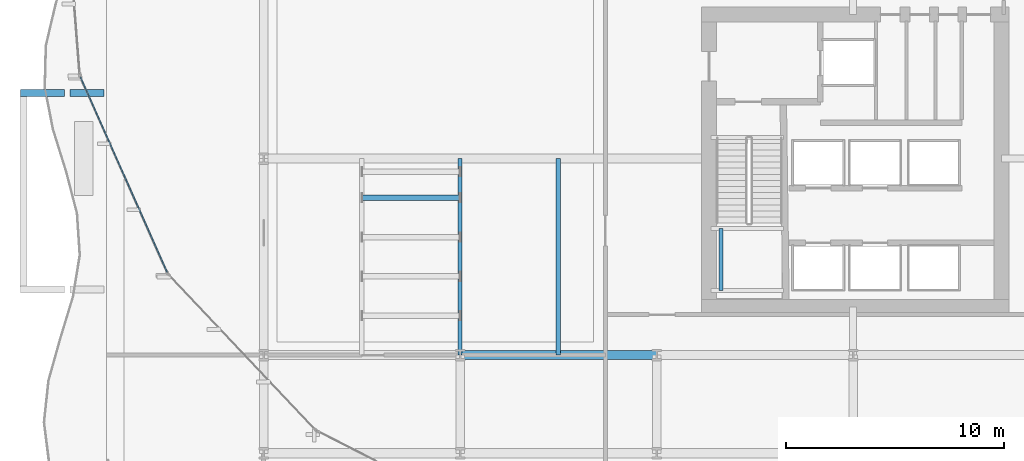
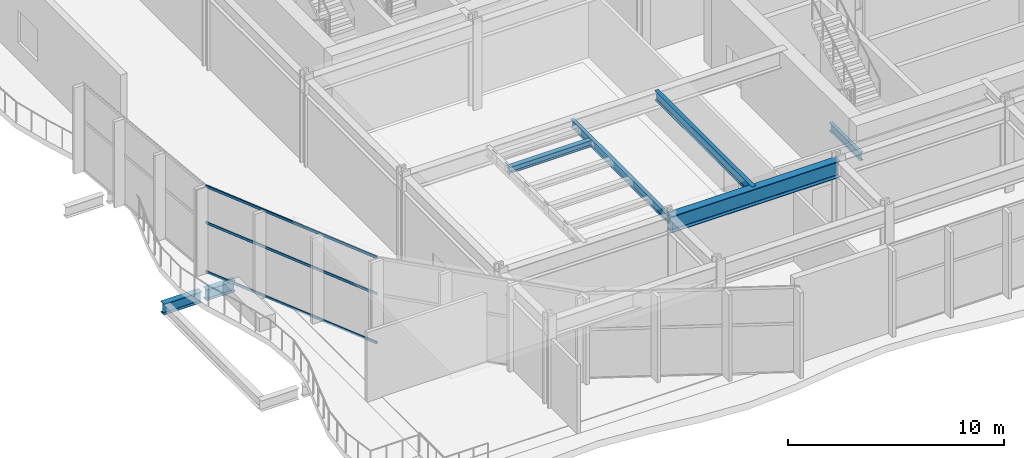
# One storey, part 5 of 33: 6 beams, 4 members, 1 element without a shape of its own.
"""IFC4 building model written with IfcOpenShell, lengths in metres."""

from ifc_helpers import new_model, si_unit, direction, frame, origin, origin_2d, place, context, subcontext, project, spatial, hollow_rectangle, i_section, extrude, material, layer, layer_set, material_profile, profile_set, type_object, element, aggregate, save


model = new_model("IFC4")

# Units and contexts
model_context = context("Model", 3, precision=1e-05, world=origin(), true_north=direction((0.0, 1.0)))
body_context = subcontext(model_context, "Body", "Model", "MODEL_VIEW")
ifc_project = project(units=[si_unit("LENGTHUNIT", "METRE"), si_unit("AREAUNIT", "SQUARE_METRE"), si_unit("VOLUMEUNIT", "CUBIC_METRE"), si_unit("PLANEANGLEUNIT", "RADIAN"), si_unit("MASSUNIT", "GRAM", prefix="KILO")], contexts=[model_context])

# Site, building, storey
site_placement = place(None, origin())
site = spatial("IfcSite", under=ifc_project, at=site_placement, CompositionType="ELEMENT")
building_placement = place(site_placement, origin())
building = spatial("IfcBuilding", under=site, at=building_placement, Name="Solvaryn Broadcast Tower", CompositionType="ELEMENT")
storey_placement = place(building_placement, frame((0.0, 0.0, 5.800048828125)))
storey = spatial("IfcBuildingStorey", under=building, at=storey_placement, Name="L01", CompositionType="ELEMENT", Elevation=5.800048828125)

# Beams
ifc_material_1 = material(Name="Steel ASTM A992 Grade 50", Category="steel")
ifc_material_profile_1 = material_profile(ifc_material_1, i_section(OverallWidth=0.323974609375, OverallDepth=0.611083984375, WebThickness=0.0126953125, FlangeThickness=0.01904296875, FilletRadius=0.014892578125, at=origin_2d()))
ifc_profile_set_1 = profile_set([ifc_material_profile_1], Name="Steel ASTM A992 Grade 50")
beam_type_1 = type_object("IfcBeamType", Name="BM-B1-W24X104", PredefinedType="BEAM", material=ifc_profile_set_1)
beam_1_placement = place(storey_placement, frame((1.675048828125, 21.0, -0.62548828125), z_axis=(-1.0, 0.0, 0.0), x_axis=(0.0, -1.0, 0.0)))
element("IfcBeam", 1, at=beam_1_placement, inside=storey, type_object=beam_type_1, Name="L01 West Terrace Back-Span Beam Y21", PredefinedType="BEAM", context=body_context, shape_type="SweptSolid", body=[
    extrude(i_section(OverallWidth=0.323974609375, OverallDepth=0.611083984375, WebThickness=0.0126953125, FlangeThickness=0.01904296875, FilletRadius=0.014892578125, at=origin_2d()), origin(), (0.0, 0.0, 1.0), 1.550048828125),
])
ifc_material_2 = material(Name="Steel ASTM A992 Grade 50", Category="steel")
ifc_material_profile_2 = material_profile(ifc_material_2, i_section(OverallWidth=0.208984375, OverallDepth=0.532958984375, WebThickness=0.01025390625, FlangeThickness=0.015625, FilletRadius=0.013916015625, at=origin_2d()))
ifc_profile_set_2 = profile_set([ifc_material_profile_2], Name="Steel ASTM A992 Grade 50")
beam_type_2 = type_object("IfcBeamType", Name="BM-B3-W21X62", PredefinedType="BEAM", material=ifc_profile_set_2)
beam_2_placement = place(storey_placement, frame((22.5, 9.0, 4.613525390625), z_axis=(0.0, 1.0, 0.0), x_axis=(-1.0, 0.0, 0.0)))
element("IfcBeam", 2, at=beam_2_placement, inside=storey, type_object=beam_type_2, Name="L01 Studio Rigging Beam 3", PredefinedType="BEAM", context=body_context, shape_type="SweptSolid", body=[
    extrude(i_section(OverallWidth=0.208984375, OverallDepth=0.532958984375, WebThickness=0.01025390625, FlangeThickness=0.015625, FilletRadius=0.013916015625, at=origin_2d()), origin(), (0.0, 0.0, 1.0), 9.0),
])
ifc_material_3 = material(Name="Steel ASTM A992 Grade 50", Category="steel")
ifc_material_profile_3 = material_profile(ifc_material_3, i_section(OverallWidth=0.18994140625, OverallDepth=0.45703125, WebThickness=0.009033203125, FlangeThickness=0.014404296875, FilletRadius=0.011962890625, at=origin_2d()))
ifc_profile_set_3 = profile_set([ifc_material_profile_3], Name="Steel ASTM A992 Grade 50")
beam_type_3 = type_object("IfcBeamType", Name="BM-B4-W18X50", PredefinedType="BEAM", material=ifc_profile_set_3)
beam_3_placement = place(storey_placement, frame((18.0, 9.0, 4.613525390625), z_axis=(0.0, 1.0, 0.0), x_axis=(-1.0, 0.0, 0.0)))
element("IfcBeam", 3, at=beam_3_placement, inside=storey, type_object=beam_type_3, Name="L01 Studio Rigging Beam 2", PredefinedType="BEAM", context=body_context, shape_type="SweptSolid", body=[
    extrude(i_section(OverallWidth=0.18994140625, OverallDepth=0.45703125, WebThickness=0.009033203125, FlangeThickness=0.014404296875, FilletRadius=0.011962890625, at=origin_2d()), origin(), (0.0, 0.0, 1.0), 9.0),
])
beam_4_placement = place(storey_placement, frame((29.949951171875, 11.949951171875, 2.17138671875), z_axis=(0.0, 1.0, 0.0), x_axis=(-1.0, 0.0, 0.0)))
element("IfcBeam", 4, at=beam_4_placement, inside=storey, type_object=beam_type_3, Name="L01 ST3 Landing Cross Stringer 1C", PredefinedType="BEAM", context=body_context, shape_type="SweptSolid", body=[
    extrude(i_section(OverallWidth=0.18994140625, OverallDepth=0.45703125, WebThickness=0.009033203125, FlangeThickness=0.014404296875, FilletRadius=0.011962890625, at=origin_2d()), origin(), (0.0, 0.0, 1.0), 2.840087890625),
])
ifc_material_4 = material(Name="Steel ASTM A992 Grade 50", Category="steel")
ifc_material_profile_4 = material_profile(ifc_material_4, i_section(OverallWidth=0.323974609375, OverallDepth=0.611083984375, WebThickness=0.0126953125, FlangeThickness=0.01904296875, FilletRadius=0.014892578125, at=origin_2d()))
ifc_profile_set_4 = profile_set([ifc_material_profile_4], Name="Steel ASTM A992 Grade 50")
beam_type_4 = type_object("IfcBeamType", Name="BM-CANT-TER", PredefinedType="BEAM", material=ifc_profile_set_4)
beam_5_placement = place(storey_placement, frame((-0.125, 21.0, -0.62548828125), z_axis=(-1.0, 0.0, 0.0), x_axis=(0.0, -1.0, 0.0)))
element("IfcBeam", 5, at=beam_5_placement, inside=storey, type_object=beam_type_4, Name="L01 West Terrace Cantilever Beam Y21", PredefinedType="BEAM", context=body_context, shape_type="SweptSolid", body=[
    extrude(i_section(OverallWidth=0.323974609375, OverallDepth=0.611083984375, WebThickness=0.0126953125, FlangeThickness=0.01904296875, FilletRadius=0.014892578125, at=origin_2d()), origin(), (0.0, 0.0, 1.0), 2.02490234375),
])
ifc_material_5 = material(Name="Steel ASTM A992 Grade 50", Category="steel")
ifc_material_profile_5 = material_profile(ifc_material_5, i_section(OverallWidth=0.41796875, OverallDepth=0.927001953125, WebThickness=0.019287109375, FlangeThickness=0.031982421875, FilletRadius=0.02392578125, at=origin_2d()))
ifc_profile_set_5 = profile_set([ifc_material_profile_5], Name="Steel ASTM A992 Grade 50")
beam_type_5 = type_object("IfcBeamType", Name="BM-G2-W36X231", PredefinedType="BEAM", material=ifc_profile_set_5)
beam_6_placement = place(storey_placement, frame((18.0, 9.0, 4.41650390625), z_axis=(1.0, 0.0, 0.0), x_axis=(0.0, 1.0, 0.0)))
element("IfcBeam", 6, at=beam_6_placement, inside=storey, type_object=beam_type_5, Name="L01 Primary Beam X (18-27 @ Y=9)", PredefinedType="BEAM", context=body_context, shape_type="SweptSolid", body=[
    extrude(i_section(OverallWidth=0.41796875, OverallDepth=0.927001953125, WebThickness=0.019287109375, FlangeThickness=0.031982421875, FilletRadius=0.02392578125, at=origin_2d()), origin(), (0.0, 0.0, 1.0), 9.0),
])

# Curtain wall, members
ifc_material_6 = material(Name="Aluminium and Terracotta Unitised Curtain Wall", Category="masonry")
ifc_layer = layer(ifc_material_6, 0.219970703125)
ifc_layer_set = layer_set([ifc_layer], Name="CW-SYS1-PODIUM")
curtain_wall_type = type_object("IfcCurtainWallType", Name="CW-SYS1-PODIUM", PredefinedType="NOTDEFINED", material=ifc_layer_set)
curtain_wall_placement = place(storey_placement, origin())
curtain_wall = element("IfcCurtainWall", 7, at=curtain_wall_placement, inside=storey, type_object=curtain_wall_type, Name="L01 Podium Curtain Wall DC2", PredefinedType="NOTDEFINED")
ifc_material_7 = material(Name="Anodised Aluminium 6063-T6", Category="aluminium")
ifc_material_profile_6 = material_profile(ifc_material_7, hollow_rectangle(XDim=0.06494140625, YDim=0.14990234375, WallThickness=0.00390625, InnerFilletRadius=0.00390625, OuterFilletRadius=0.008056640625, at=origin_2d()))
ifc_profile_set_6 = profile_set([ifc_material_profile_6], Name="Anodised Aluminium 6063-T6")
member_type_1 = type_object("IfcMemberType", Name="CW-TRN-150", PredefinedType="USERDEFINED", material=ifc_profile_set_6)
member_1_placement = place(storey_placement, frame((0.603271484375, 21.7412109375, 0.030029296875), z_axis=(0.406052918064, -0.913849565154, 0.0), x_axis=(0.913849565154, 0.406052918064, 0.0)))
member_1 = element("IfcMember", 8, at=member_1_placement, type_object=member_type_1, Name="CWS1 transom 1.1", ObjectType="TRANSOM", PredefinedType="USERDEFINED", context=body_context, shape_type="SweptSolid", body=[
    extrude(hollow_rectangle(XDim=0.06494140625, YDim=0.14990234375, WallThickness=0.00390625, InnerFilletRadius=0.00390625, OuterFilletRadius=0.008056640625, at=origin_2d()), origin(), (0.0, 0.0, 1.0), 9.79736328125),
])
member_2_placement = place(storey_placement, frame((0.603271484375, 21.7412109375, 2.800048828125), z_axis=(0.406052918064, -0.913849565154, 0.0), x_axis=(0.913849565154, 0.406052918064, 0.0)))
member_2 = element("IfcMember", 9, at=member_2_placement, type_object=member_type_1, Name="CWS1 transom 1.2", ObjectType="TRANSOM", PredefinedType="USERDEFINED", context=body_context, shape_type="SweptSolid", body=[
    extrude(hollow_rectangle(XDim=0.06494140625, YDim=0.14990234375, WallThickness=0.00390625, InnerFilletRadius=0.00390625, OuterFilletRadius=0.008056640625, at=origin_2d()), origin(), (0.0, 0.0, 1.0), 9.79736328125),
])
member_3_placement = place(storey_placement, frame((0.603271484375, 21.7412109375, 4.849853515625), z_axis=(0.406052918064, -0.913849565154, 0.0), x_axis=(0.913849565154, 0.406052918064, 0.0)))
member_3 = element("IfcMember", 10, at=member_3_placement, type_object=member_type_1, Name="CWS1 transom 1.3", ObjectType="TRANSOM", PredefinedType="USERDEFINED", context=body_context, shape_type="SweptSolid", body=[
    extrude(hollow_rectangle(XDim=0.06494140625, YDim=0.14990234375, WallThickness=0.00390625, InnerFilletRadius=0.00390625, OuterFilletRadius=0.008056640625, at=origin_2d()), origin(), (0.0, 0.0, 1.0), 9.79736328125),
])
aggregate(curtain_wall, [member_1, member_2, member_3])

# Member
ifc_material_8 = material(Name="Steel ASTM A992 Grade 50", Category="steel")
ifc_material_profile_7 = material_profile(ifc_material_8, i_section(OverallWidth=0.2548828125, OverallDepth=0.35693359375, WebThickness=0.010498046875, FlangeThickness=0.018310546875, FilletRadius=0.014892578125, at=origin_2d()))
ifc_profile_set_7 = profile_set([ifc_material_profile_7], Name="Steel ASTM A992 Grade 50")
member_type_2 = type_object("IfcMemberType", Name="MB-STUDIO-RIG", PredefinedType="STRUT", material=ifc_profile_set_7)
member_4_placement = place(storey_placement, frame((13.5, 16.199951171875, 4.613525390625), z_axis=(1.0, 0.0, 0.0), x_axis=(0.0, 1.0, 0.0)))
element("IfcMember", 11, at=member_4_placement, inside=storey, type_object=member_type_2, Name="L01 Studio Acoustic Grid Strut 4", PredefinedType="STRUT", context=body_context, shape_type="SweptSolid", body=[
    extrude(i_section(OverallWidth=0.2548828125, OverallDepth=0.35693359375, WebThickness=0.010498046875, FlangeThickness=0.018310546875, FilletRadius=0.014892578125, at=origin_2d()), origin(), (0.0, 0.0, 1.0), 4.5),
])

save(model, "model.ifc")
